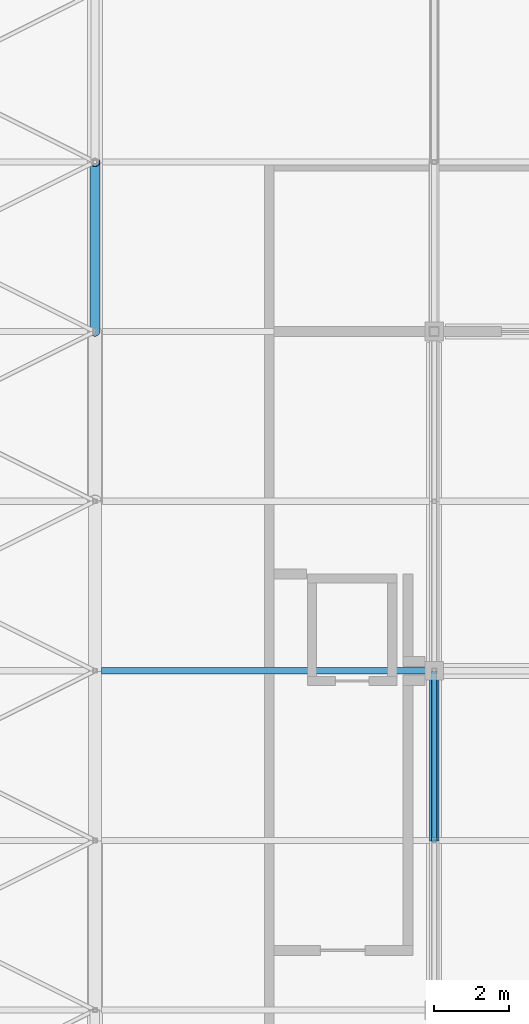
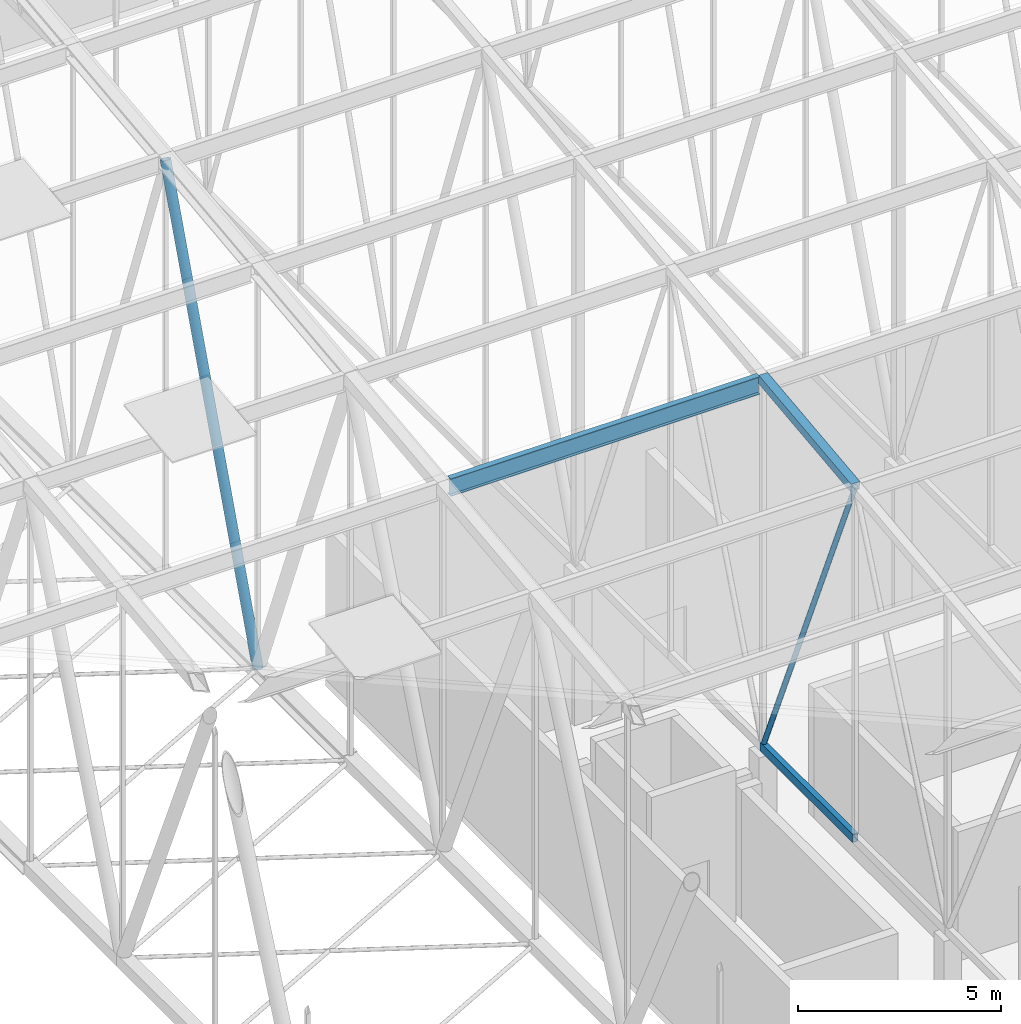
# One storey, part 149 of 500: 5 members.
"""IFC4 building model written with IfcOpenShell, lengths in metres."""

import ifcopenshell
import ifcopenshell.guid

model = None  # the IFC model being written
_history = None  # IfcOwnerHistory: only IFC2X3 demands one
_inside = {}  # id of a spatial element -> (the spatial element, [elements in it])
_under = {}  # id of a project, library or spatial element -> (it, [spatial elements below it])
_declared = {}  # id of a project -> (the project, [libraries it declares])
_typed = {}  # id of a type object -> (the type object, [elements of that type])
_made_of = {}  # id of a material, layer set ... -> (it, [elements and type objects made of it])


def new_model(schema):
    """Start an empty IFC model of exactly this schema.

    Asked for "IFC4X3", IfcOpenShell would pick the latest addendum, in which some entities
    have other attributes; the version numbers below select the first issue.
    IFC2X3 requires an IfcOwnerHistory on every rooted entity: one is made here for all.
    """
    global model, _history
    if schema == "IFC4X3":
        model = ifcopenshell.file(schema_version=(4, 3, 0, 0))
    else:
        model = ifcopenshell.file(schema=schema)
    _inside.clear()
    _under.clear()
    _declared.clear()
    _typed.clear()
    _made_of.clear()
    _history = None
    if model.schema == "IFC2X3":
        org = make("IfcOrganization", Name="unknown")
        user = make(
            "IfcPersonAndOrganization",
            ThePerson=make("IfcPerson", FamilyName="unknown"),
            TheOrganization=org,
        )
        app = make(
            "IfcApplication",
            ApplicationDeveloper=org,
            Version="unknown",
            ApplicationFullName="unknown",
            ApplicationIdentifier="unknown",
        )
        _history = make(
            "IfcOwnerHistory",
            OwningUser=user,
            OwningApplication=app,
            ChangeAction="ADDED",
            CreationDate=0,
        )
    return model


def make(cls, **values):
    """One entity of the class cls with the attributes given. An attribute that is None is left unset."""
    return model.create_entity(
        cls, **{name: value for name, value in values.items() if value is not None}
    )


def rooted(cls, **values):
    """An entity with a GlobalId (a new one), such as an element, a storey or a relation."""
    return make(cls, GlobalId=ifcopenshell.guid.new(), OwnerHistory=_history, **values)


def si_unit(unit_type, name, prefix=None):
    """IfcSIUnit, for example si_unit("LENGTHUNIT", "METRE", prefix="MILLI")."""
    return make("IfcSIUnit", UnitType=unit_type, Prefix=prefix, Name=name)


def assignment(units):
    """IfcUnitAssignment: the units of a project."""
    return None if units is None else make("IfcUnitAssignment", Units=units)


def point(xyz):
    """IfcCartesianPoint."""
    return None if xyz is None else make("IfcCartesianPoint", Coordinates=xyz)


def direction(xyz):
    """IfcDirection."""
    return None if xyz is None else make("IfcDirection", DirectionRatios=xyz)


def frame(location, z_axis=None, x_axis=None):
    """IfcAxis2Placement3D, a coordinate frame: its origin and axes. An axis left out is left unset."""
    return make(
        "IfcAxis2Placement3D",
        Location=point(location),
        Axis=direction(z_axis),
        RefDirection=direction(x_axis),
    )


def frame_2d(location, x_axis=None):
    """IfcAxis2Placement2D, a coordinate frame in the plane: its origin and x axis."""
    return make(
        "IfcAxis2Placement2D", Location=point(location), RefDirection=direction(x_axis)
    )


def origin():
    """The frame at (0, 0, 0) with its axes left unset."""
    return frame((0.0, 0.0, 0.0))


def origin_2d():
    """The frame at (0, 0) in the plane with its x axis left unset."""
    return frame_2d((0.0, 0.0))


def place(relative_to, where):
    """IfcLocalPlacement: puts the frame where relative to a parent placement (None: the world)."""
    return make(
        "IfcLocalPlacement", PlacementRelTo=relative_to, RelativePlacement=where
    )


def context(
    kind, dimensions, precision=None, world=None, true_north=None, identifier=None
):
    """IfcGeometricRepresentationContext, for example the 3D "Model" context."""
    return make(
        "IfcGeometricRepresentationContext",
        ContextIdentifier=identifier,
        ContextType=kind,
        CoordinateSpaceDimension=dimensions,
        Precision=precision,
        WorldCoordinateSystem=world,
        TrueNorth=true_north,
    )


def subcontext(parent, identifier, kind, view, scale=None):
    """IfcGeometricRepresentationSubContext, for example "Body" below "Model"."""
    return make(
        "IfcGeometricRepresentationSubContext",
        ContextIdentifier=identifier,
        ContextType=kind,
        ParentContext=parent,
        TargetScale=scale,
        TargetView=view,
    )


def project(units=None, contexts=None):
    """IfcProject with its units and contexts."""
    return rooted(
        "IfcProject",
        Name="project",
        RepresentationContexts=contexts,
        UnitsInContext=assignment(units),
    )


def spatial(cls, under=None, at=None, **own):
    """A site, building, storey or space (cls), placed at a placement, below another one or the project."""
    s = rooted(cls, ObjectPlacement=at, **own)
    if under is not None:
        _under.setdefault(under.id(), (under, []))[1].append(s)
    return s


def profile(cls, at=None, kind="AREA", **sizes):
    """A parametric profile (cls). Its sizes go by their IFC names, for example OverallWidth=200.0."""
    return make(cls, ProfileType=kind, Position=at, **sizes)


def hollow_rectangle(**sizes):
    """IfcRectangleHollowProfileDef."""
    return profile("IfcRectangleHollowProfileDef", **sizes)


def hollow_circle(**sizes):
    """IfcCircleHollowProfileDef."""
    return profile("IfcCircleHollowProfileDef", **sizes)


def i_section(**sizes):
    """IfcIShapeProfileDef."""
    return profile("IfcIShapeProfileDef", **sizes)


def extrude(swept, where, along, depth):
    """IfcExtrudedAreaSolid: the profile swept, set in the frame where, extruded along a direction by depth."""
    return make(
        "IfcExtrudedAreaSolid",
        SweptArea=swept,
        Position=where,
        ExtrudedDirection=direction(along),
        Depth=depth,
    )


def shape(context_of_items, identifier, shape_type, items):
    """IfcShapeRepresentation: the items that make up one representation, for example the "Body"."""
    return make(
        "IfcShapeRepresentation",
        ContextOfItems=context_of_items,
        RepresentationIdentifier=identifier,
        RepresentationType=shape_type,
        Items=items,
    )


def material(Name=None, Category=None):
    """IfcMaterial."""
    return make("IfcMaterial", Name=Name, Category=Category)


def material_profile(
    of_material, cross_section, Name=None, Category=None, Priority=None
):
    """IfcMaterialProfile: a cross section and its material."""
    return make(
        "IfcMaterialProfile",
        Name=Name,
        Material=of_material,
        Profile=cross_section,
        Priority=Priority,
        Category=Category,
    )


def profile_set(profiles, Name=None, composite=None):
    """IfcMaterialProfileSet."""
    return make(
        "IfcMaterialProfileSet",
        Name=Name,
        MaterialProfiles=profiles,
        CompositeProfile=composite,
    )


def made_of(thing, what):
    """Note that an element or type object is made of a material, layer set ...; save() writes the relation."""
    if what is not None:
        _made_of.setdefault(what.id(), (what, []))[1].append(thing)
    return thing


def type_object(cls, material=None, **own):
    """A type object (cls), such as IfcWallType, which elements share."""
    return made_of(rooted(cls, **own), material)


def element(
    cls,
    number,
    at=None,
    inside=None,
    cuts=None,
    type_object=None,
    material=None,
    context=None,
    identifier="Body",
    shape_type=None,
    held_by="IfcProductDefinitionShape",
    body=None,
    shapes=None,
    **own,
):
    """One element of the class cls, such as IfcWall. Its Tag is "e" and its number.

    at: its placement. inside: the storey or other place that contains it. cuts: it is an
    opening in that element (IfcRelVoidsElement). A single representation is given by context,
    identifier, shape_type and body (its items); several are given by shapes. held_by: the class
    of the entity that holds the representations. save() writes the other relations.
    """
    e = rooted(cls, Tag="e%d" % number, ObjectPlacement=at, **own)
    if body is not None:
        shapes = [shape(context, identifier, shape_type, body)]
    if shapes is not None:
        e.Representation = make(held_by, Representations=shapes)
    if inside is not None:
        _inside.setdefault(inside.id(), (inside, []))[1].append(e)
    if cuts is not None:
        rooted(
            "IfcRelVoidsElement", RelatingBuildingElement=cuts, RelatedOpeningElement=e
        )
    if type_object is not None:
        _typed.setdefault(type_object.id(), (type_object, []))[1].append(e)
    return made_of(e, material)


def aggregate(whole, parts):
    """IfcRelAggregates: a whole, such as a stair, and the parts it consists of."""
    return rooted("IfcRelAggregates", RelatingObject=whole, RelatedObjects=parts)


def save(model, path):
    """Write the relations noted so far, then the file.

    IfcRelAggregates (storeys below a building ...), IfcRelContainedInSpatialStructure (elements
    in a storey), IfcRelDefinesByType, IfcRelAssociatesMaterial and IfcRelDeclares: one each for
    every whole, place, type object, material and project.
    """
    for whole, parts in _under.values():
        aggregate(whole, parts)
    for where, things in _inside.values():
        rooted(
            "IfcRelContainedInSpatialStructure",
            RelatedElements=things,
            RelatingStructure=where,
        )
    for kind, things in _typed.values():
        rooted("IfcRelDefinesByType", RelatedObjects=things, RelatingType=kind)
    for what, things in _made_of.values():
        rooted("IfcRelAssociatesMaterial", RelatedObjects=things, RelatingMaterial=what)
    for by, libraries in _declared.values():
        rooted("IfcRelDeclares", RelatingContext=by, RelatedDefinitions=libraries)
    model.write(path)


model = new_model("IFC4")

# Units and contexts
model_context = context("Model", 3, precision=1e-05, world=origin(), true_north=direction((0.0, 1.0)))
body_context = subcontext(model_context, "Body", "Model", "MODEL_VIEW")
ifc_project = project(units=[si_unit("LENGTHUNIT", "METRE"), si_unit("AREAUNIT", "SQUARE_METRE"), si_unit("VOLUMEUNIT", "CUBIC_METRE"), si_unit("PLANEANGLEUNIT", "RADIAN"), si_unit("MASSUNIT", "GRAM", prefix="KILO")], contexts=[model_context])

# Site, building, storey
site_placement = place(None, origin())
site = spatial("IfcSite", under=ifc_project, at=site_placement, CompositionType="ELEMENT")
building_placement = place(site_placement, origin())
building = spatial("IfcBuilding", under=site, at=building_placement, Name="Shirokan Park Arena", CompositionType="ELEMENT")
storey_placement = place(building_placement, frame((0.0, 0.0, 29.1201171875)))
storey = spatial("IfcBuildingStorey", under=building, at=storey_placement, Name="L06", CompositionType="ELEMENT", Elevation=29.1201171875)

# Members
ifc_material_1 = material(Name="Steel ASTM A500 Grade C", Category="steel")
ifc_material_profile_1 = material_profile(ifc_material_1, hollow_rectangle(XDim=0.152099609375, YDim=0.25390625, WallThickness=0.009521484375, at=origin_2d()), Name="HSS254X152.4X9.5")
ifc_profile_set_1 = profile_set([ifc_material_profile_1], Name="Steel ASTM A500 Grade C")
member_type_1 = type_object("IfcMemberType", Name="Bottom chord HSS254X152.4X9.5", PredefinedType="CHORD", material=ifc_profile_set_1)
member_1_placement = place(storey_placement, frame((109.199951171875, 22.75, 4.677001953125), z_axis=(0.0, 1.0, 0.0), x_axis=(-1.0, 0.0, 0.0)))
element("IfcMember", 1, at=member_1_placement, inside=storey, type_object=member_type_1, Name="Truss T13 bottom chord 8", PredefinedType="CHORD", context=body_context, shape_type="SweptSolid", body=[
    extrude(hollow_rectangle(XDim=0.152099609375, YDim=0.25390625, WallThickness=0.009521484375, at=origin_2d()), origin(), (0.0, 0.0, 1.0), 4.550048828125),
])
ifc_material_2 = material(Name="Steel ASTM A992", Category="steel")
ifc_material_profile_2 = material_profile(ifc_material_2, i_section(OverallWidth=0.166015625, OverallDepth=0.528076171875, WebThickness=0.009765625, FlangeThickness=0.013671875, at=origin_2d()), Name="W530X74")
ifc_profile_set_2 = profile_set([ifc_material_profile_2], Name="Steel ASTM A992")
member_type_2 = type_object("IfcMemberType", Name="Purlin W530X74", PredefinedType="PURLIN", material=ifc_profile_set_2)
member_2_placement = place(storey_placement, frame((100.278076171875, 27.300048828125, 15.60595703125), z_axis=(1.0, 0.0, 0.0), x_axis=(0.0, 1.0, 0.0)))
element("IfcMember", 2, at=member_2_placement, inside=storey, type_object=member_type_2, Name="Purlin 9 bay 12", PredefinedType="PURLIN", context=body_context, shape_type="SweptSolid", body=[
    extrude(i_section(OverallWidth=0.166015625, OverallDepth=0.528076171875, WebThickness=0.009765625, FlangeThickness=0.013671875, at=origin_2d()), origin(), (0.0, 0.0, 1.0), 8.794921875),
])
ifc_material_profile_3 = material_profile(ifc_material_1, hollow_rectangle(XDim=0.25390625, YDim=0.25390625, WallThickness=0.009521484375, at=origin_2d()), Name="HSS254X254X9.5")
ifc_profile_set_3 = profile_set([ifc_material_profile_3], Name="Steel ASTM A500 Grade C")
member_type_3 = type_object("IfcMemberType", Name="Top chord HSS254X254X9.5", PredefinedType="CHORD", material=ifc_profile_set_3)
member_3_placement = place(storey_placement, frame((109.199951171875, 22.75, 15.222900390625), z_axis=(0.0, 0.993532328996, 0.113549598152), x_axis=(-1.0, 0.0, 0.0)))
element("IfcMember", 3, at=member_3_placement, inside=storey, type_object=member_type_3, Name="Truss T13 top chord 8", PredefinedType="CHORD", context=body_context, shape_type="SweptSolid", body=[
    extrude(hollow_rectangle(XDim=0.25390625, YDim=0.25390625, WallThickness=0.009521484375, at=origin_2d()), origin(), (0.0, 0.0, 1.0), 4.57958984375),
])
ifc_material_profile_4 = material_profile(ifc_material_1, hollow_circle(Radius=0.070556640625, WallThickness=0.006591796875, at=origin_2d()), Name="HSS141.3X6.6")
ifc_profile_set_4 = profile_set([ifc_material_profile_4], Name="Steel ASTM A500 Grade C")
member_type_4 = type_object("IfcMemberType", Name="Truss diagonal HSS141.3X6.6", PredefinedType="BRACE", material=ifc_profile_set_4)
member_4_placement = place(storey_placement, frame((109.199951171875, 22.75, 15.222900390625), z_axis=(0.0, 0.396152605513, -0.918184683572), x_axis=(-1.0, 0.0, 0.0)))
element("IfcMember", 4, at=member_4_placement, inside=storey, type_object=member_type_4, Name="Truss T13 diagonal 8", PredefinedType="BRACE", context=body_context, shape_type="SweptSolid", body=[
    extrude(hollow_circle(Radius=0.070556640625, WallThickness=0.006591796875, at=origin_2d()), origin(), (0.0, 0.0, 1.0), 11.485595703125),
])
ifc_material_profile_5 = material_profile(ifc_material_1, hollow_circle(Radius=0.136474609375, WallThickness=0.009521484375, at=origin_2d()), Name="HSS273.1X9.5")
ifc_profile_set_5 = profile_set([ifc_material_profile_5], Name="Steel ASTM A500 Grade C")
member_type_5 = type_object("IfcMemberType", Name="Truss diagonal HSS273.1X9.5", PredefinedType="BRACE", material=ifc_profile_set_5)
member_5_placement = place(storey_placement, frame((100.10009765625, 36.39990234375, 4.677001953125), z_axis=(0.0, 0.340977600467, 0.94007142068), x_axis=(-1.0, 0.0, 0.0)))
element("IfcMember", 5, at=member_5_placement, inside=storey, type_object=member_type_5, Name="Truss T12 diagonal 11", PredefinedType="BRACE", context=body_context, shape_type="SweptSolid", body=[
    extrude(hollow_circle(Radius=0.136474609375, WallThickness=0.009521484375, at=origin_2d()), origin(), (0.0, 0.0, 1.0), 13.34423828125),
])

save(model, "model.ifc")
